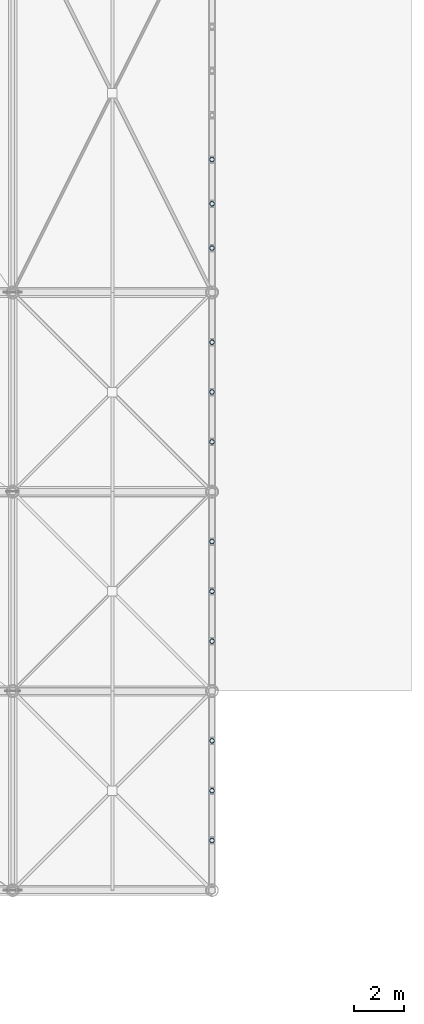
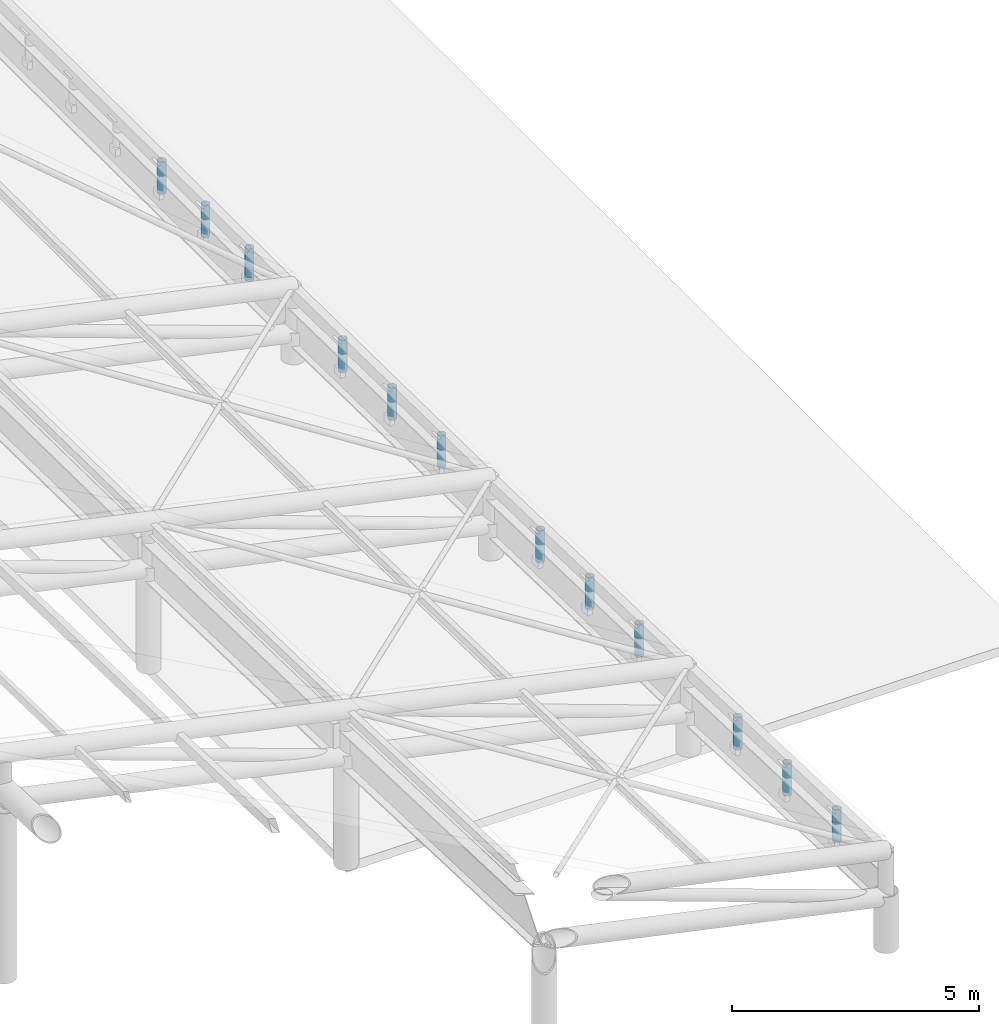
# One storey, part 21 of 41: 12 members.
"""IFC4 building model written with IfcOpenShell, lengths in metres."""

from ifc_helpers import new_model, si_unit, direction, frame, origin, origin_2d, place, context, subcontext, project, spatial, hollow_circle, extrude, material, material_profile, profile_set, type_object, element, save


model = new_model("IFC4")

# Units and contexts
model_context = context("Model", 3, precision=1e-05, world=origin(), true_north=direction((0.0, 1.0)))
body_context = subcontext(model_context, "Body", "Model", "MODEL_VIEW")
ifc_project = project(units=[si_unit("LENGTHUNIT", "METRE"), si_unit("AREAUNIT", "SQUARE_METRE"), si_unit("VOLUMEUNIT", "CUBIC_METRE"), si_unit("PLANEANGLEUNIT", "RADIAN"), si_unit("MASSUNIT", "GRAM", prefix="KILO")], contexts=[model_context])

# Site, building, storey
site_placement = place(None, origin())
site = spatial("IfcSite", under=ifc_project, at=site_placement, CompositionType="ELEMENT")
building_placement = place(site_placement, origin())
building = spatial("IfcBuilding", under=site, at=building_placement, Name="Haebicheon Civic Stadium", CompositionType="ELEMENT")
storey_placement = place(building_placement, frame((0.0, 0.0, 27.0)))
storey = spatial("IfcBuildingStorey", under=building, at=storey_placement, Name="L07", CompositionType="ELEMENT", Elevation=27.0)

# Members
ifc_material = material(Name="White painted steel SM490", Category="steel")
ifc_material_profile = material_profile(ifc_material, hollow_circle(Radius=0.095458984375, WallThickness=0.011962890625, at=origin_2d()), Name="CHS-190.7x12.0")
ifc_profile_set = profile_set([ifc_material_profile], Name="White painted steel SM490")
member_type = type_object("IfcMemberType", Name="HRD-CHS190", PredefinedType="USERDEFINED", material=ifc_profile_set)
member_1_placement = place(storey_placement, frame((152.0, 50.0, 1.4150390625), z_axis=(0.0, 0.0, 1.0), x_axis=(1.0, 0.0, 0.0)))
element("IfcMember", 1, at=member_1_placement, inside=storey, type_object=member_type, material=ifc_profile_set, Name="CAN-EAST white vertical suspension rod 1.1", ObjectType="HANGER ROD", PredefinedType="USERDEFINED", context=body_context, shape_type="SweptSolid", body=[
    extrude(hollow_circle(Radius=0.095458984375, WallThickness=0.011962890625, at=origin_2d()), origin(), (0.0, 0.0, 1.0), 0.800048828125),
])
member_2_placement = place(storey_placement, frame((152.0, 52.0, 1.342041015625), z_axis=(0.0, 0.0, 1.0), x_axis=(1.0, 0.0, 0.0)))
element("IfcMember", 2, at=member_2_placement, inside=storey, type_object=member_type, material=ifc_profile_set, Name="CAN-EAST white vertical suspension rod 1.2", ObjectType="HANGER ROD", PredefinedType="USERDEFINED", context=body_context, shape_type="SweptSolid", body=[
    extrude(hollow_circle(Radius=0.095458984375, WallThickness=0.011962890625, at=origin_2d()), origin(), (0.0, 0.0, 1.0), 0.801025390625),
])
for number, where, z_axis, x_axis, name in (
    (3, (152.0, 54.0, 1.27001953125), (0.0, 0.0, 1.0), (1.0, 0.0, 0.0), "CAN-EAST white vertical suspension rod 1.3"),
    (4, (152.0, 58.0, 1.14599609375), (0.0, 0.0, 1.0), (1.0, 0.0, 0.0), "CAN-EAST white vertical suspension rod 2.1"),
    (5, (152.0, 60.0, 1.094970703125), (0.0, 0.0, 1.0), (1.0, 0.0, 0.0), "CAN-EAST white vertical suspension rod 2.2"),
    (6, (152.0, 62.0, 1.0439453125), (0.0, 0.0, 1.0), (1.0, 0.0, 0.0), "CAN-EAST white vertical suspension rod 2.3"),
    (7, (152.0, 66.0, 0.9609375), (0.0, 0.0, 1.0), (1.0, 0.0, 0.0), "CAN-EAST white vertical suspension rod 3.1"),
    (8, (152.0, 68.0, 0.929931640625), (0.0, 0.0, 1.0), (1.0, 0.0, 0.0), "CAN-EAST white vertical suspension rod 3.2"),
    (9, (152.0, 70.0, 0.89892578125), (0.0, 0.0, 1.0), (1.0, 0.0, 0.0), "CAN-EAST white vertical suspension rod 3.3"),
    (10, (152.0, 73.778076171875, 0.863037109375), (0.0, 0.0, 1.0), (1.0, 0.0, 0.0), "CAN-EAST white vertical suspension rod 4.1"),
    (11, (152.0, 75.555908203125, 0.85888671875), (0.0, 0.0, 1.0), (1.0, 0.0, 0.0), "CAN-EAST white vertical suspension rod 4.2"),
    (12, (152.0, 77.3330078125, 0.85400390625), (0.0, 0.0, 1.0), (1.0, 0.0, 0.0), "CAN-EAST white vertical suspension rod 4.3"),
):
    element("IfcMember", number, at=place(storey_placement, frame(where, z_axis=z_axis, x_axis=x_axis)), inside=storey, type_object=member_type, material=ifc_profile_set, Name=name, ObjectType="HANGER ROD", PredefinedType="USERDEFINED", context=body_context, shape_type="SweptSolid", body=[
        extrude(hollow_circle(Radius=0.095458984375, WallThickness=0.011962890625, at=origin_2d()), origin(), (0.0, 0.0, 1.0), 0.800048828125),
    ])

save(model, "model.ifc")
